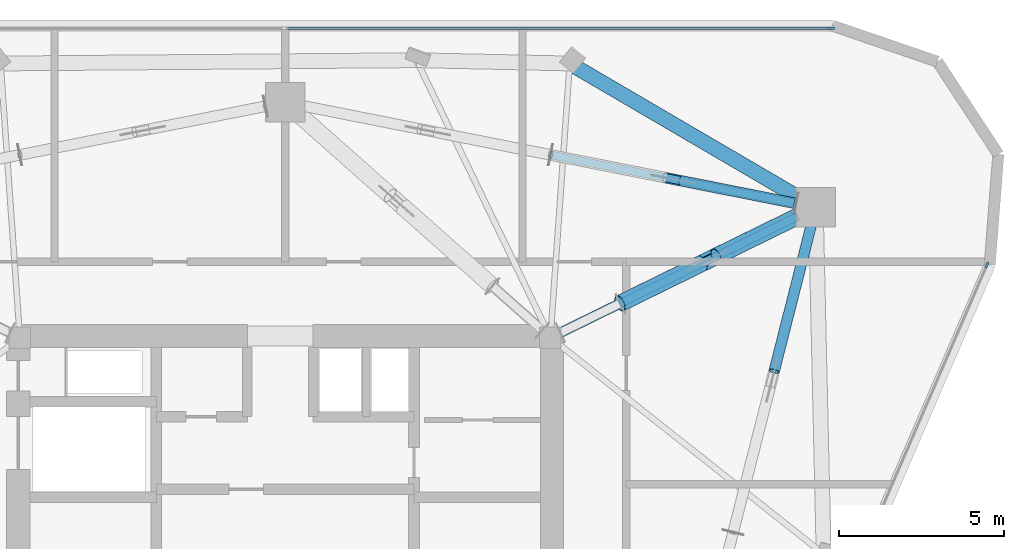
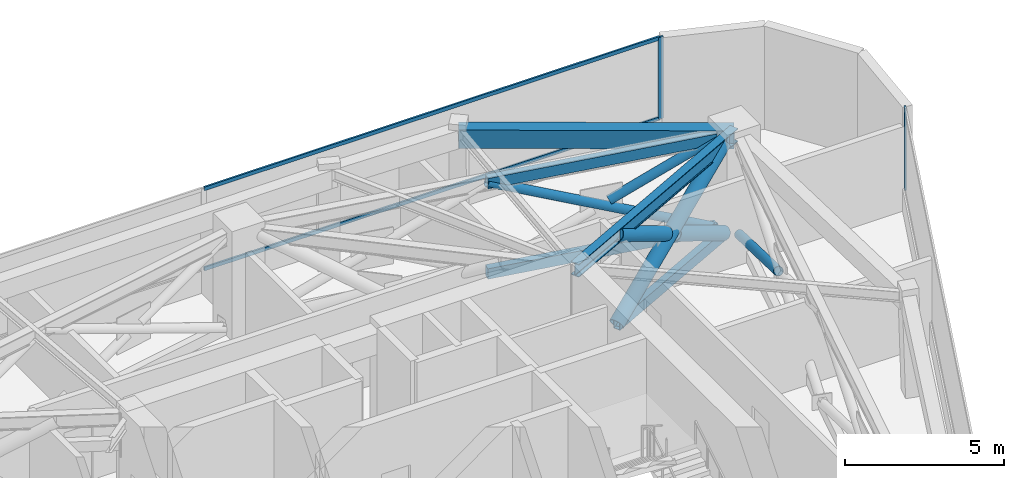
# One storey, part 5 of 9: 14 members, 2 beams, 2 elements without a shape of their own.
"""IFC4 building model written with IfcOpenShell, lengths in metres."""

from ifc_helpers import new_model, si_unit, direction, frame, origin, origin_2d, place, context, subcontext, project, spatial, rectangle, hollow_rectangle, hollow_circle, i_section, extrude, material, layer, layer_set, material_profile, profile_set, type_object, element, aggregate, save


model = new_model("IFC4")

# Units and contexts
model_context = context("Model", 3, precision=1e-05, world=origin(), true_north=direction((0.0, 1.0)))
body_context = subcontext(model_context, "Body", "Model", "MODEL_VIEW")
ifc_project = project(units=[si_unit("LENGTHUNIT", "METRE"), si_unit("AREAUNIT", "SQUARE_METRE"), si_unit("VOLUMEUNIT", "CUBIC_METRE"), si_unit("PLANEANGLEUNIT", "RADIAN"), si_unit("MASSUNIT", "GRAM", prefix="KILO")], contexts=[model_context])

# Site, building, storey
site_placement = place(None, origin())
site = spatial("IfcSite", under=ifc_project, at=site_placement, CompositionType="ELEMENT")
building_placement = place(site_placement, origin())
building = spatial("IfcBuilding", under=site, at=building_placement, Name="Talyreon Biosciences Tower", CompositionType="ELEMENT")
storey_placement = place(building_placement, frame((0.0, 0.0, 279.60009765625)))
storey = spatial("IfcBuildingStorey", under=building, at=storey_placement, Name="L74", CompositionType="ELEMENT", Elevation=279.60009765625)

# Members
ifc_material_1 = material(Name="Steel SM355", Category="steel")
ifc_material_profile_1 = material_profile(ifc_material_1, hollow_rectangle(XDim=0.25, YDim=0.39990234375, WallThickness=0.01611328125, at=origin_2d()), Name="RHS 400x250x16")
ifc_profile_set_1 = profile_set([ifc_material_profile_1], Name="Steel SM355")
member_type_1 = type_object("IfcMemberType", Name="BeltChord_RHS400x250", PredefinedType="CHORD", material=ifc_profile_set_1)
for number, where, z_axis, x_axis, name in (
    (1, (76.159912109375, 75.684814453125, 0.239990234375), (0.897870334783, 0.440259993545, 0.0), (-0.440259993545, 0.897870334783, 0.0), "L74 Truss Bottom Chord OUT-L74-R3"),
    (2, (76.159912109375, 75.684814453125, 3.699951171875), (0.897870334783, 0.440259993545, 0.0), (-0.440259993545, 0.897870334783, 0.0), "L74 Truss Top Chord OUT-L74-R3"),
):
    element("IfcMember", number, at=place(storey_placement, frame(where, z_axis=z_axis, x_axis=x_axis)), inside=storey, type_object=member_type_1, Name=name, PredefinedType="CHORD", context=body_context, shape_type="SweptSolid", body=[
        extrude(hollow_rectangle(XDim=0.25, YDim=0.39990234375, WallThickness=0.01611328125, at=origin_2d()), origin(), (0.0, 0.0, 1.0), 6.00830078125),
    ])
for number, where, z_axis, x_axis, name in (
    (3, (81.50390625, 78.71728515625, 0.239990234375), (-0.98093256056, 0.19434842843, 0.0), (-0.19434842843, -0.98093256056, 0.0), "L74 Truss Bottom Chord BELT-L74-B3S1"),
    (4, (81.50390625, 78.71728515625, 3.699951171875), (-0.98093256056, 0.19434842843, 0.0), (-0.19434842843, -0.98093256056, 0.0), "L74 Truss Top Chord BELT-L74-B3S1"),
):
    element("IfcMember", number, at=place(storey_placement, frame(where, z_axis=z_axis, x_axis=x_axis)), inside=storey, type_object=member_type_1, Name=name, PredefinedType="CHORD", context=body_context, shape_type="SweptSolid", body=[
        extrude(hollow_rectangle(XDim=0.25, YDim=0.39990234375, WallThickness=0.01611328125, at=origin_2d()), origin(), (0.0, 0.0, 1.0), 7.597412109375),
    ])

# Curtain wall, member
ifc_material_2 = material(Name="Thermally broken aluminium and low-E glazing", Category="aluminium")
ifc_layer = layer(ifc_material_2, 0.175048828125)
ifc_layer_set = layer_set([ifc_layer], Name="Thermally broken aluminium and low-E glazing")
curtain_wall_type = type_object("IfcCurtainWallType", Name="CurtainWall_Zone5CompLab", PredefinedType="NOTDEFINED", material=ifc_layer_set)
curtain_wall_1_placement = place(storey_placement, origin())
curtain_wall_1 = element("IfcCurtainWall", 5, at=curtain_wall_1_placement, inside=storey, type_object=curtain_wall_type, Name="L74 Unitised Curtain Wall FCW-L74-03", PredefinedType="NOTDEFINED")
ifc_material_3 = material(Name="Anodised thermally broken aluminium", Category="aluminium")
ifc_material_profile_2 = material_profile(ifc_material_3, rectangle(XDim=0.06494140625, YDim=0.179931640625, at=origin_2d()), Name="ALUM MULLION 65x180")
ifc_profile_set_2 = profile_set([ifc_material_profile_2], Name="Anodised thermally broken aluminium")
member_type_2 = type_object("IfcMemberType", Name="CWMullion_65x180", PredefinedType="MULLION", material=ifc_profile_set_2)
member_1_placement = place(storey_placement, frame((82.5751953125, 84.037109375, 0.809814453125), z_axis=(0.0, 0.0, 1.0), x_axis=(0.0, 1.0, 0.0)))
member_1 = element("IfcMember", 6, at=member_1_placement, type_object=member_type_2, Name="CW6 mullion 3", PredefinedType="MULLION", context=body_context, shape_type="SweptSolid", body=[
    extrude(rectangle(XDim=0.06494140625, YDim=0.179931640625, at=origin_2d()), origin(), (0.0, 0.0, 1.0), 3.14013671875),
])

curtain_wall_2_placement = place(storey_placement, origin())
curtain_wall_2 = element("IfcCurtainWall", 7, at=curtain_wall_2_placement, inside=storey, type_object=curtain_wall_type, Name="L74 Unitised Curtain Wall FCW-L74-07", PredefinedType="NOTDEFINED")
member_2_placement = place(storey_placement, frame((87.295166015625, 76.857177734375, 0.809814453125), z_axis=(0.0, 0.0, 1.0), x_axis=(0.918021763475, -0.396530001116, 0.0)))
member_2 = element("IfcMember", 8, at=member_2_placement, type_object=member_type_2, Name="CW6 mullion 1", PredefinedType="MULLION", context=body_context, shape_type="SweptSolid", body=[
    extrude(rectangle(XDim=0.06494140625, YDim=0.179931640625, at=origin_2d()), origin(), (0.0, 0.0, 1.0), 3.14013671875),
])
aggregate(curtain_wall_2, [member_2])

# Member
ifc_material_profile_3 = material_profile(ifc_material_3, rectangle(XDim=0.06494140625, YDim=0.139892578125, at=origin_2d()), Name="ALUM TRANSOM 65x140")
ifc_profile_set_3 = profile_set([ifc_material_profile_3], Name="Anodised thermally broken aluminium")
member_type_3 = type_object("IfcMemberType", Name="CWTransom_65x140", PredefinedType="USERDEFINED", material=ifc_profile_set_3)
member_3_placement = place(storey_placement, frame((66.032470703125, 84.037109375, 0.84228515625), z_axis=(1.0, 0.0, 0.0), x_axis=(0.0, 1.0, 0.0)))
member_3 = element("IfcMember", 9, at=member_3_placement, type_object=member_type_3, Name="CW6 transom 2.1", ObjectType="TRANSOM", PredefinedType="USERDEFINED", context=body_context, shape_type="SweptSolid", body=[
    extrude(rectangle(XDim=0.06494140625, YDim=0.139892578125, at=origin_2d()), origin(), (0.0, 0.0, 1.0), 16.51025390625),
])

member_4_placement = place(storey_placement, frame((66.032470703125, 84.037109375, 3.91748046875), z_axis=(1.0, 0.0, 0.0), x_axis=(0.0, 1.0, 0.0)))
member_4 = element("IfcMember", 10, at=member_4_placement, type_object=member_type_3, Name="CW6 transom 2.2", ObjectType="TRANSOM", PredefinedType="USERDEFINED", context=body_context, shape_type="SweptSolid", body=[
    extrude(rectangle(XDim=0.06494140625, YDim=0.139892578125, at=origin_2d()), origin(), (0.0, 0.0, 1.0), 16.51025390625),
])

aggregate(curtain_wall_1, [member_1, member_3, member_4])

# Beam
ifc_material_4 = material(Name="Precast concrete C45/55", Category="concrete")
ifc_material_profile_4 = material_profile(ifc_material_4, rectangle(XDim=0.449951171875, YDim=0.699951171875, at=origin_2d()), Name="RCB 450x700")
ifc_profile_set_4 = profile_set([ifc_material_profile_4], Name="Precast concrete C45/55")
beam_type_1 = type_object("IfcBeamType", Name="ExpressedSpandrel_450x700", PredefinedType="SPANDREL", material=ifc_profile_set_4)
beam_1_placement = place(storey_placement, frame((82.102294921875, 78.5986328125, 3.599853515625), z_axis=(-0.863108688616, 0.505018209211, 0.0), x_axis=(-0.505018209211, -0.863108688616, 0.0)))
element("IfcBeam", 11, at=beam_1_placement, inside=storey, type_object=beam_type_1, Name="L74 Expressed Horizontal Concrete Spandrel 05", PredefinedType="SPANDREL", context=body_context, shape_type="SweptSolid", body=[
    extrude(rectangle(XDim=0.449951171875, YDim=0.699951171875, at=origin_2d()), origin(), (0.0, 0.0, 1.0), 8.650390625),
])

# Members
ifc_material_profile_5 = material_profile(ifc_material_1, hollow_circle(Radius=0.25390625, WallThickness=0.02001953125, at=origin_2d()), Name="CHS 508x20")
ifc_profile_set_5 = profile_set([ifc_material_profile_5], Name="Steel SM355")
member_type_4 = type_object("IfcMemberType", Name="OutriggerBrace_CHS508", PredefinedType="BRACE", material=ifc_profile_set_5)
member_5_placement = place(storey_placement, frame((76.159912109375, 75.684814453125, 0.239990234375), z_axis=(0.778082569221, 0.381523493574, 0.499026391411), x_axis=(-0.440259993545, 0.897870334783, 0.0)))
element("IfcMember", 12, at=member_5_placement, inside=storey, type_object=member_type_4, Name="L74 Continuous Diagonal OUT-L74-R3A", PredefinedType="BRACE", context=body_context, shape_type="SweptSolid", body=[
    extrude(hollow_circle(Radius=0.25390625, WallThickness=0.02001953125, at=origin_2d()), origin(), (0.0, 0.0, 1.0), 6.933349609375),
])
for number, where, z_axis, x_axis, name in (
    (13, (81.5546875, 78.330078125, 0.239990234375), (-0.778067536306, -0.38152583013, 0.499048043669), (0.440269024625, -0.897865906445, 0.0), "L74 Split Diagonal OUT-L74-R3B-Lower"),
    (14, (78.639404296875, 76.900634765625, 2.109619140625), (-0.778067536306, -0.38152583013, 0.499048043669), (0.440269024625, -0.897865906445, 0.0), "L74 Split Diagonal OUT-L74-R3B-Upper"),
):
    element("IfcMember", number, at=place(storey_placement, frame(where, z_axis=z_axis, x_axis=x_axis)), inside=storey, type_object=member_type_4, Name=name, PredefinedType="BRACE", context=body_context, shape_type="SweptSolid", body=[
        extrude(hollow_circle(Radius=0.25390625, WallThickness=0.02001953125, at=origin_2d()), origin(), (0.0, 0.0, 1.0), 3.186767578125),
    ])
ifc_material_profile_6 = material_profile(ifc_material_1, hollow_circle(Radius=0.161865234375, WallThickness=0.012451171875, at=origin_2d()), Name="CHS 323.9x12.5")
ifc_profile_set_6 = profile_set([ifc_material_profile_6], Name="Steel SM355")
member_type_5 = type_object("IfcMemberType", Name="PortalBrace_CHS324", PredefinedType="BRACE", material=ifc_profile_set_6)
member_6_placement = place(storey_placement, frame((81.951904296875, 78.007568359375, 0.239990234375), z_axis=(-0.231799198272, -0.91134380101, 0.340178788346), x_axis=(0.969142719225, -0.246500283514, 0.0)))
element("IfcMember", 15, at=member_6_placement, inside=storey, type_object=member_type_5, Name="L74 Split Diagonal BELT-L74-B2S2B-Lower", PredefinedType="BRACE", context=body_context, shape_type="SweptSolid", body=[
    extrude(hollow_circle(Radius=0.161865234375, WallThickness=0.012451171875, at=origin_2d()), origin(), (0.0, 0.0, 1.0), 4.804931640625),
])
member_7_placement = place(storey_placement, frame((81.50390625, 78.71728515625, 0.239990234375), z_axis=(-0.892717911832, 0.176870796395, 0.414453195521), x_axis=(-0.19434842843, -0.98093256056, 0.0)))
element("IfcMember", 16, at=member_7_placement, inside=storey, type_object=member_type_5, Name="L74 Continuous Diagonal BELT-L74-B3S1A", PredefinedType="BRACE", context=body_context, shape_type="SweptSolid", body=[
    extrude(hollow_circle(Radius=0.161865234375, WallThickness=0.012451171875, at=origin_2d()), origin(), (0.0, 0.0, 1.0), 8.34814453125),
])
member_8_placement = place(storey_placement, frame((78.027587890625, 79.406005859375, 2.0859375), z_axis=(0.892709757502, -0.176861733683, 0.414474626508), x_axis=(0.194340554403, 0.980934120578, 0.0)))
element("IfcMember", 17, at=member_8_placement, inside=storey, type_object=member_type_5, Name="L74 Split Diagonal BELT-L74-B3S1B-Upper", PredefinedType="BRACE", context=body_context, shape_type="SweptSolid", body=[
    extrude(hollow_circle(Radius=0.161865234375, WallThickness=0.012451171875, at=origin_2d()), origin(), (0.0, 0.0, 1.0), 3.89404296875),
])

# Beam
ifc_material_profile_7 = material_profile(ifc_material_1, i_section(OverallWidth=0.300048828125, OverallDepth=0.5, WebThickness=0.014404296875, FlangeThickness=0.028076171875, FilletRadius=0.027099609375, at=origin_2d()), Name="HE500B")
ifc_profile_set_7 = profile_set([ifc_material_profile_7], Name="Steel SM355")
beam_type_2 = type_object("IfcBeamType", Name="SteelBeam_HE500B", PredefinedType="BEAM", material=ifc_profile_set_7)
beam_2_placement = place(storey_placement, frame((74.050048828125, 74.64990234375, 3.699951171875), z_axis=(0.897852360314, 0.440296648952, 0.0), x_axis=(-0.440296648952, 0.897852360314, 0.0)))
element("IfcBeam", 18, at=beam_2_placement, inside=storey, type_object=beam_type_2, Name="L74 Radial Primary Girder 3", PredefinedType="BEAM", context=body_context, shape_type="SweptSolid", body=[
    extrude(i_section(OverallWidth=0.300048828125, OverallDepth=0.5, WebThickness=0.014404296875, FlangeThickness=0.028076171875, FilletRadius=0.027099609375, at=origin_2d()), origin(), (0.0, 0.0, 1.0), 8.96826171875),
])

save(model, "model.ifc")
